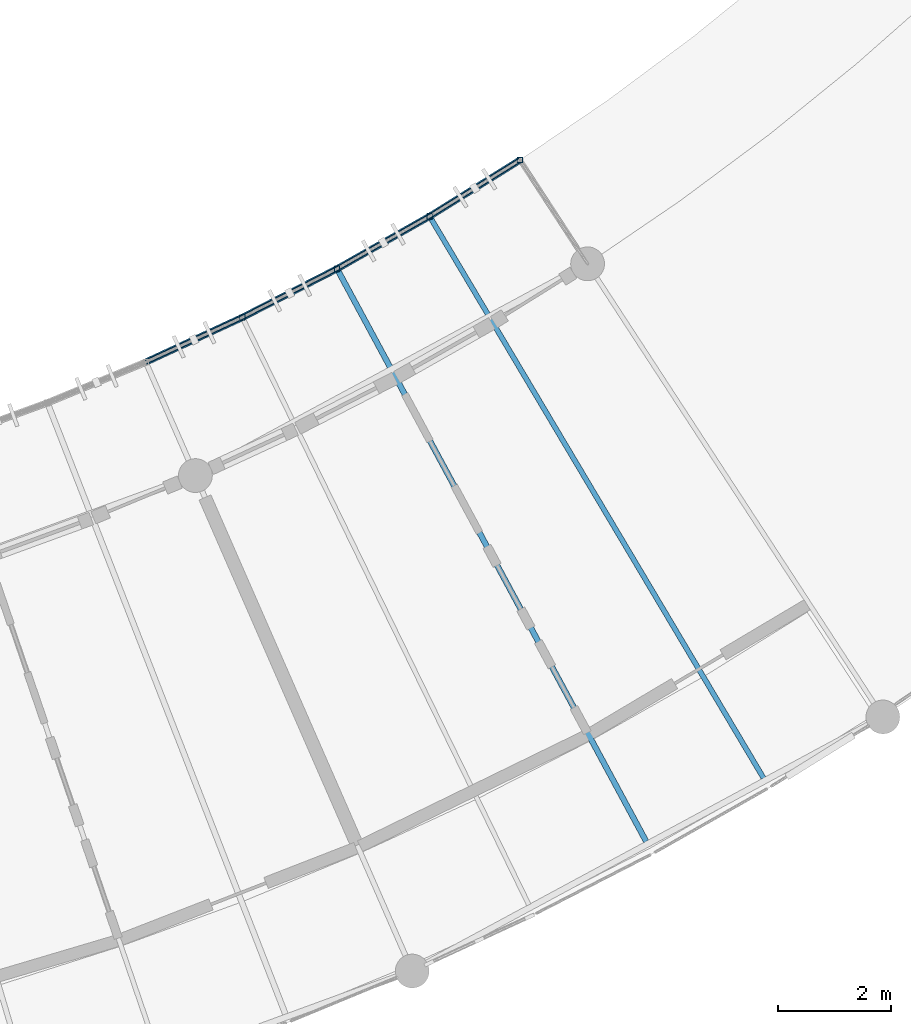
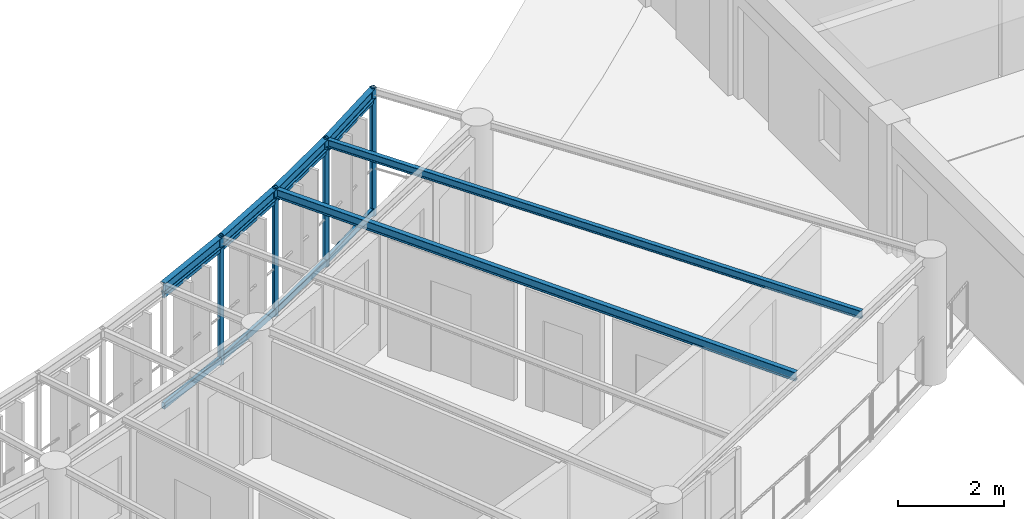
# One storey, part 21 of 101: 12 members, 6 beams.
"""IFC4 building model written with IfcOpenShell, lengths in metres."""

from ifc_helpers import new_model, si_unit, direction, frame, origin, origin_2d, place, context, subcontext, project, spatial, hollow_rectangle, i_section, extrude, material, material_profile, profile_set, type_object, element, save


model = new_model("IFC4")

# Units and contexts
model_context = context("Model", 3, precision=1e-05, world=origin(), true_north=direction((0.0, 1.0)))
body_context = subcontext(model_context, "Body", "Model", "MODEL_VIEW")
ifc_project = project(units=[si_unit("LENGTHUNIT", "METRE"), si_unit("AREAUNIT", "SQUARE_METRE"), si_unit("VOLUMEUNIT", "CUBIC_METRE"), si_unit("PLANEANGLEUNIT", "RADIAN"), si_unit("MASSUNIT", "GRAM", prefix="KILO"), si_unit("POWERUNIT", "WATT"), si_unit("THERMODYNAMICTEMPERATUREUNIT", "KELVIN")], contexts=[model_context])

# Site, building, storey
site_placement = place(None, origin())
site = spatial("IfcSite", under=ifc_project, at=site_placement, CompositionType="ELEMENT")
building_placement = place(site_placement, origin())
building = spatial("IfcBuilding", under=site, at=building_placement, Name="Ruvembo Vaulted Housing Court", CompositionType="ELEMENT")
storey_placement = place(building_placement, frame((0.0, 0.0, 17.300048828125)))
storey = spatial("IfcBuildingStorey", under=building, at=storey_placement, Name="L05", CompositionType="ELEMENT", Elevation=17.300048828125)

# Beams
ifc_material = material(Name="Steel S355J2", Category="steel")
ifc_material_profile_1 = material_profile(ifc_material, i_section(OverallWidth=0.091064453125, OverallDepth=0.179931640625, WebThickness=0.00537109375, FlangeThickness=0.008056640625, FilletRadius=0.009033203125, at=origin_2d()), Name="IPE 180")
ifc_profile_set_1 = profile_set([ifc_material_profile_1], Name="Steel S355J2")
beam_type_1 = type_object("IfcBeamType", Name="BM-ST-IPE180", PredefinedType="JOIST", material=ifc_profile_set_1)
beam_1_placement = place(storey_placement, frame((98.330078125, 12.656005859375, 2.842041015625), z_axis=(-0.510954382563, 0.859607828571, 0.0), x_axis=(-0.859607828571, -0.510954382563, 0.0)))
element("IfcBeam", 1, at=beam_1_placement, inside=storey, type_object=beam_type_1, Name="Scoop SC2 L05 Radial Steel Joist 27", PredefinedType="JOIST", context=body_context, shape_type="SweptSolid", body=[
    extrude(i_section(OverallWidth=0.091064453125, OverallDepth=0.179931640625, WebThickness=0.00537109375, FlangeThickness=0.008056640625, FilletRadius=0.009033203125, at=origin_2d()), origin(), (0.0, 0.0, 1.0), 11.642822265625),
])
ifc_material_profile_2 = material_profile(ifc_material, i_section(OverallWidth=0.10009765625, OverallDepth=0.199951171875, WebThickness=0.005615234375, FlangeThickness=0.008544921875, FilletRadius=0.011962890625, at=origin_2d()), Name="IPE 200")
ifc_profile_set_2 = profile_set([ifc_material_profile_2], Name="Steel S355J2")
beam_type_2 = type_object("IfcBeamType", Name="BM-ST-IPE200", PredefinedType="BEAM", material=ifc_profile_set_2)
beam_2_placement = place(storey_placement, frame((96.2470703125, 11.53125, 2.83203125), z_axis=(-0.475075222071, 0.87994518771, 0.0), x_axis=(-0.87994518771, -0.475075222071, 0.0)))
element("IfcBeam", 2, at=beam_2_placement, inside=storey, type_object=beam_type_2, Name="Scoop SC2 L05 Radial Steel Joist 26", PredefinedType="BEAM", context=body_context, shape_type="SweptSolid", body=[
    extrude(i_section(OverallWidth=0.10009765625, OverallDepth=0.199951171875, WebThickness=0.005615234375, FlangeThickness=0.008544921875, FilletRadius=0.011962890625, at=origin_2d()), origin(), (0.0, 0.0, 1.0), 11.593994140625),
])
ifc_material_profile_3 = material_profile(ifc_material, i_section(OverallWidth=0.1201171875, OverallDepth=0.239990234375, WebThickness=0.006103515625, FlangeThickness=0.009765625, FilletRadius=0.014892578125, at=origin_2d()), Name="IPE 240")
ifc_profile_set_3 = profile_set([ifc_material_profile_3], Name="Steel S355J2")
beam_type_3 = type_object("IfcBeamType", Name="BM-ST-IPE240", PredefinedType="BEAM", material=ifc_profile_set_3)
for number, where, z_axis, x_axis, name in (
    (3, (87.362548828125, 20.042236328125, 2.81201171875), (0.907656578832, 0.419713634403, 0.0), (-0.419713634403, 0.907656578832, 0.0), "Scoop SC2 L05 Balcony Edge Spandrel 24"),
    (4, (89.077392578125, 20.835205078125, 2.81201171875), (0.889568437347, 0.45680192127, 0.0), (-0.45680192127, 0.889568437347, 0.0), "Scoop SC2 L05 Balcony Edge Spandrel 25"),
):
    element("IfcBeam", number, at=place(storey_placement, frame(where, z_axis=z_axis, x_axis=x_axis)), inside=storey, type_object=beam_type_3, Name=name, PredefinedType="BEAM", context=body_context, shape_type="SweptSolid", body=[
        extrude(i_section(OverallWidth=0.1201171875, OverallDepth=0.239990234375, WebThickness=0.006103515625, FlangeThickness=0.009765625, FilletRadius=0.014892578125, at=origin_2d()), origin(), (0.0, 0.0, 1.0), 1.889404296875),
    ])
for number, where, z_axis, x_axis, name in (
    (5, (90.758056640625, 21.6982421875, 2.81201171875), (0.869955662473, 0.493129947712, 0.0), (-0.493129947712, 0.869955662473, 0.0), "Scoop SC2 L05 Balcony Edge Spandrel 26"),
    (6, (92.401611328125, 22.6298828125, 2.81201171875), (0.848904567119, 0.52854615307, 0.0), (-0.52854615307, 0.848904567119, 0.0), "Scoop SC2 L05 Balcony Edge Spandrel 27"),
):
    element("IfcBeam", number, at=place(storey_placement, frame(where, z_axis=z_axis, x_axis=x_axis)), inside=storey, type_object=beam_type_3, Name=name, PredefinedType="BEAM", context=body_context, shape_type="SweptSolid", body=[
        extrude(i_section(OverallWidth=0.1201171875, OverallDepth=0.239990234375, WebThickness=0.006103515625, FlangeThickness=0.009765625, FilletRadius=0.014892578125, at=origin_2d()), origin(), (0.0, 0.0, 1.0), 1.88916015625),
    ])

# Members
ifc_material_profile_4 = material_profile(ifc_material, hollow_rectangle(XDim=0.06005859375, YDim=0.1201171875, WallThickness=0.0048828125, InnerFilletRadius=0.0048828125, OuterFilletRadius=0.010009765625, at=origin_2d()), Name="RHS 120x60x5")
ifc_profile_set_4 = profile_set([ifc_material_profile_4], Name="Steel S355J2")
member_type_1 = type_object("IfcMemberType", Name="MEM-CAR-RHS120", PredefinedType="CHORD", material=ifc_profile_set_4)
for number, where, z_axis, x_axis, name in (
    (7, (87.362548828125, 20.042236328125, 2.635009765625), (0.907656578832, 0.419713634403, 0.0), (-0.419713634403, 0.907656578832, 0.0), "Scoop SC2 L05 Upper Louvre Carrier Rail 24"),
    (8, (89.077392578125, 20.835205078125, 2.635009765625), (0.889568437347, 0.45680192127, 0.0), (-0.45680192127, 0.889568437347, 0.0), "Scoop SC2 L05 Upper Louvre Carrier Rail 25"),
):
    element("IfcMember", number, at=place(storey_placement, frame(where, z_axis=z_axis, x_axis=x_axis)), inside=storey, type_object=member_type_1, Name=name, PredefinedType="CHORD", context=body_context, shape_type="SweptSolid", body=[
        extrude(hollow_rectangle(XDim=0.06005859375, YDim=0.1201171875, WallThickness=0.0048828125, InnerFilletRadius=0.0048828125, OuterFilletRadius=0.010009765625, at=origin_2d()), origin(), (0.0, 0.0, 1.0), 1.889404296875),
    ])
for number, where, z_axis, x_axis, name in (
    (9, (90.758056640625, 21.6982421875, 2.635009765625), (0.869955662473, 0.493129947712, 0.0), (-0.493129947712, 0.869955662473, 0.0), "Scoop SC2 L05 Upper Louvre Carrier Rail 26"),
    (10, (92.401611328125, 22.6298828125, 2.635009765625), (0.848904567119, 0.52854615307, 0.0), (-0.52854615307, 0.848904567119, 0.0), "Scoop SC2 L05 Upper Louvre Carrier Rail 27"),
):
    element("IfcMember", number, at=place(storey_placement, frame(where, z_axis=z_axis, x_axis=x_axis)), inside=storey, type_object=member_type_1, Name=name, PredefinedType="CHORD", context=body_context, shape_type="SweptSolid", body=[
        extrude(hollow_rectangle(XDim=0.06005859375, YDim=0.1201171875, WallThickness=0.0048828125, InnerFilletRadius=0.0048828125, OuterFilletRadius=0.010009765625, at=origin_2d()), origin(), (0.0, 0.0, 1.0), 1.88916015625),
    ])
ifc_material_profile_5 = material_profile(ifc_material, hollow_rectangle(XDim=0.080078125, YDim=0.14990234375, WallThickness=0.00634765625, InnerFilletRadius=0.00634765625, OuterFilletRadius=0.0126953125, at=origin_2d()), Name="RHS 150x80x6.3")
ifc_profile_set_5 = profile_set([ifc_material_profile_5], Name="Steel S355J2")
member_type_2 = type_object("IfcMemberType", Name="MEM-CAR-RHS150", PredefinedType="CHORD", material=ifc_profile_set_5)
for number, where, z_axis, x_axis, name in (
    (11, (87.362548828125, 20.042236328125, 0.094970703125), (0.907656578832, 0.419713634403, 0.0), (-0.419713634403, 0.907656578832, 0.0), "Scoop SC2 L05 Lower Louvre Carrier Rail 24"),
    (12, (89.077392578125, 20.835205078125, 0.094970703125), (0.889568437347, 0.45680192127, 0.0), (-0.45680192127, 0.889568437347, 0.0), "Scoop SC2 L05 Lower Louvre Carrier Rail 25"),
):
    element("IfcMember", number, at=place(storey_placement, frame(where, z_axis=z_axis, x_axis=x_axis)), inside=storey, type_object=member_type_2, Name=name, PredefinedType="CHORD", context=body_context, shape_type="SweptSolid", body=[
        extrude(hollow_rectangle(XDim=0.080078125, YDim=0.14990234375, WallThickness=0.00634765625, InnerFilletRadius=0.00634765625, OuterFilletRadius=0.0126953125, at=origin_2d()), origin(), (0.0, 0.0, 1.0), 1.889404296875),
    ])
for number, where, z_axis, x_axis, name in (
    (13, (90.758056640625, 21.6982421875, 0.094970703125), (0.869955662473, 0.493129947712, 0.0), (-0.493129947712, 0.869955662473, 0.0), "Scoop SC2 L05 Lower Louvre Carrier Rail 26"),
    (14, (92.401611328125, 22.6298828125, 0.094970703125), (0.848904567119, 0.52854615307, 0.0), (-0.52854615307, 0.848904567119, 0.0), "Scoop SC2 L05 Lower Louvre Carrier Rail 27"),
):
    element("IfcMember", number, at=place(storey_placement, frame(where, z_axis=z_axis, x_axis=x_axis)), inside=storey, type_object=member_type_2, Name=name, PredefinedType="CHORD", context=body_context, shape_type="SweptSolid", body=[
        extrude(hollow_rectangle(XDim=0.080078125, YDim=0.14990234375, WallThickness=0.00634765625, InnerFilletRadius=0.00634765625, OuterFilletRadius=0.0126953125, at=origin_2d()), origin(), (0.0, 0.0, 1.0), 1.88916015625),
    ])
ifc_material_profile_6 = material_profile(ifc_material, hollow_rectangle(XDim=0.10009765625, YDim=0.10009765625, WallThickness=0.00634765625, InnerFilletRadius=0.00634765625, OuterFilletRadius=0.0126953125, at=origin_2d()), Name="SHS 100x100x6.3")
ifc_profile_set_6 = profile_set([ifc_material_profile_6], Name="Steel S355J2")
member_type_3 = type_object("IfcMemberType", Name="MEM-FRM-SHS100", PredefinedType="STRUT", material=ifc_profile_set_6)
for number, where, z_axis, x_axis, name in (
    (15, (89.077392578125, 20.835205078125, -0.01513671875), (0.0, 0.0, 1.0), (1.0, 0.0, 0.0), "Scoop SC2 L05 Louvre Frame Post 25"),
    (16, (90.758056640625, 21.6982421875, -0.01513671875), (0.0, 0.0, 1.0), (1.0, 0.0, 0.0), "Scoop SC2 L05 Louvre Frame Post 26"),
    (17, (92.401611328125, 22.6298828125, -0.01513671875), (0.0, 0.0, 1.0), (1.0, 0.0, 0.0), "Scoop SC2 L05 Louvre Frame Post 27"),
    (18, (94.00537109375, 23.62841796875, -0.01513671875), (0.0, 0.0, 1.0), (1.0, 0.0, 0.0), "Scoop SC2 L05 Louvre End Post"),
):
    element("IfcMember", number, at=place(storey_placement, frame(where, z_axis=z_axis, x_axis=x_axis)), inside=storey, type_object=member_type_3, Name=name, PredefinedType="STRUT", context=body_context, shape_type="SweptSolid", body=[
        extrude(hollow_rectangle(XDim=0.10009765625, YDim=0.10009765625, WallThickness=0.00634765625, InnerFilletRadius=0.00634765625, OuterFilletRadius=0.0126953125, at=origin_2d()), origin(), (0.0, 0.0, 1.0), 2.953125),
    ])

save(model, "model.ifc")
